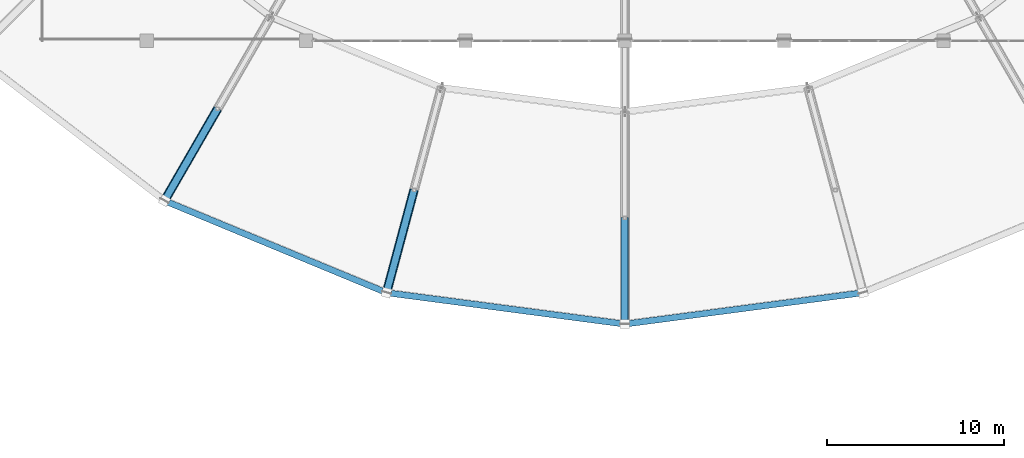
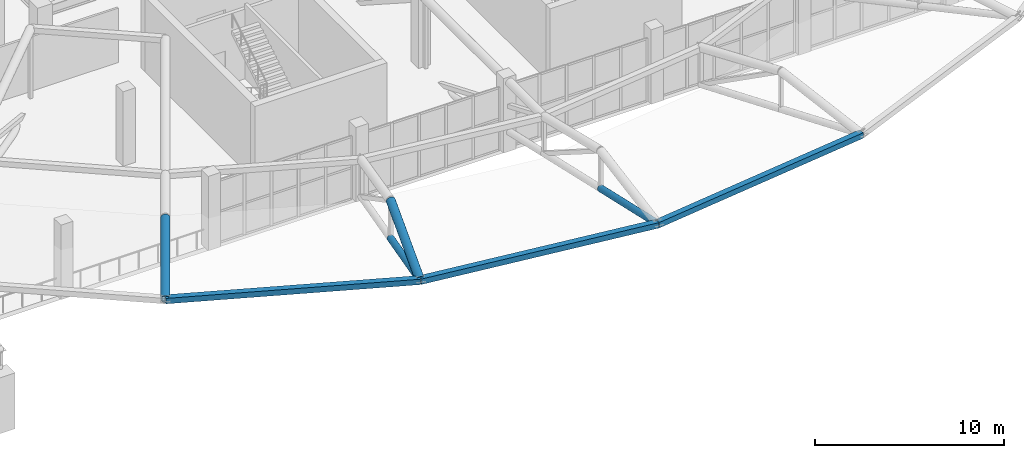
# One storey, part 22 of 167: 8 members.
"""IFC4 building model written with IfcOpenShell, lengths in metres."""

from ifc_helpers import new_model, si_unit, direction, frame, origin, origin_2d, place, context, subcontext, project, spatial, hollow_rectangle, hollow_circle, extrude, material, material_profile, profile_set, type_object, element, save


model = new_model("IFC4")

# Units and contexts
model_context = context("Model", 3, precision=1e-05, world=origin(), true_north=direction((0.0, 1.0)))
body_context = subcontext(model_context, "Body", "Model", "MODEL_VIEW")
ifc_project = project(units=[si_unit("LENGTHUNIT", "METRE"), si_unit("AREAUNIT", "SQUARE_METRE"), si_unit("VOLUMEUNIT", "CUBIC_METRE"), si_unit("PLANEANGLEUNIT", "RADIAN"), si_unit("MASSUNIT", "GRAM", prefix="KILO")], contexts=[model_context])

# Site, building, storey
site_placement = place(None, origin())
site = spatial("IfcSite", under=ifc_project, at=site_placement, CompositionType="ELEMENT")
building_placement = place(site_placement, origin())
building = spatial("IfcBuilding", under=site, at=building_placement, Name="Dornveld Trade and Exhibition Forum", CompositionType="ELEMENT")
storey_placement = place(building_placement, frame((0.0, 0.0, 16.800048828125)))
storey = spatial("IfcBuildingStorey", under=building, at=storey_placement, Name="L03", CompositionType="ELEMENT", Elevation=16.800048828125)

# Members
ifc_material_1 = material(Name="Steel S355J2", Category="steel")
ifc_material_profile_1 = material_profile(ifc_material_1, hollow_circle(Radius=0.203125, WallThickness=0.02001953125, at=origin_2d()), Name="CHS 406.4x20")
ifc_profile_set_1 = profile_set([ifc_material_profile_1], Name="Steel S355J2")
member_type_1 = type_object("IfcMemberType", Name="MEM-DISC-BC", PredefinedType="CHORD", material=ifc_profile_set_1)
for number, where, z_axis, x_axis, name in (
    (1, (94.0, 41.162841796875, 3.437744140625), (-0.487596998988, -0.844525303504, 0.221418559111), (0.866020924479, -0.500007758305, 0.0), "Roof disc radial R17 conical bottom chord 4"),
    (2, (105.09423828125, 36.5673828125, 3.437744140625), (-0.25237327368, -0.941955467078, 0.221421834455), (0.96593170523, -0.2587971036, 0.0), "Roof disc radial R18 conical bottom chord 4"),
):
    element("IfcMember", number, at=place(storey_placement, frame(where, z_axis=z_axis, x_axis=x_axis)), inside=storey, type_object=member_type_1, Name=name, PredefinedType="CHORD", context=body_context, shape_type="SweptSolid", body=[
        extrude(hollow_circle(Radius=0.203125, WallThickness=0.02001953125, at=origin_2d()), origin(), (0.0, 0.0, 1.0), 6.152587890625),
    ])
member_placement = place(storey_placement, frame((117.0, 35.0, 3.437744140625), z_axis=(0.0, -0.975179608328, 0.22141529193), x_axis=(1.0, 0.0, 0.0)))
element("IfcMember", 3, at=member_placement, inside=storey, type_object=member_type_1, Name="Roof disc radial R19 conical bottom chord 4", PredefinedType="CHORD", context=body_context, shape_type="SweptSolid", body=[
    extrude(hollow_circle(Radius=0.203125, WallThickness=0.02001953125, at=origin_2d()), origin(), (0.0, 0.0, 1.0), 6.15283203125),
])
ifc_material_2 = material(Name="Steel S355J2", Category="steel")
ifc_material_profile_2 = material_profile(ifc_material_2, hollow_rectangle(XDim=0.35009765625, YDim=0.35009765625, WallThickness=0.01611328125, at=origin_2d()), Name="SHS 350x350x16")
ifc_profile_set_2 = profile_set([ifc_material_profile_2], Name="Steel S355J2")
member_type_2 = type_object("IfcMemberType", Name="MEM-DISC-RING", PredefinedType="CHORD", material=ifc_profile_set_2)
for number, where, z_axis, x_axis, name in (
    (4, (91.0, 35.966796875, 4.800048828125), (0.923880490743, -0.382681118981, 0.0), (0.382681118981, 0.923880490743, 0.0), "Roof disc ring 4 chord 17"),
    (5, (103.54150390625, 30.77197265625, 4.800048828125), (0.991443640781, -0.130535463208, 0.0), (0.130535463208, 0.991443640781, 0.0), "Roof disc ring 4 chord 18"),
    (6, (117.0, 29.0, 4.800048828125), (0.991443640781, 0.130535463208, 0.0), (-0.130535463208, 0.991443640781, 0.0), "Roof disc ring 4 chord 19"),
):
    element("IfcMember", number, at=place(storey_placement, frame(where, z_axis=z_axis, x_axis=x_axis)), inside=storey, type_object=member_type_2, Name=name, PredefinedType="CHORD", context=body_context, shape_type="SweptSolid", body=[
        extrude(hollow_rectangle(XDim=0.35009765625, YDim=0.35009765625, WallThickness=0.01611328125, at=origin_2d()), origin(), (0.0, 0.0, 1.0), 13.57470703125),
    ])
ifc_material_3 = material(Name="Steel S355J2", Category="steel")
ifc_material_profile_3 = material_profile(ifc_material_3, hollow_circle(Radius=0.25390625, WallThickness=0.02490234375, at=origin_2d()), Name="CHS 508x25")
ifc_profile_set_3 = profile_set([ifc_material_profile_3], Name="Steel S355J2")
member_type_3 = type_object("IfcMemberType", Name="MEM-DISC-TC", PredefinedType="CHORD", material=ifc_profile_set_3)
for number, where, z_axis, x_axis, name in (
    (7, (94.0, 41.162841796875, 5.875), (-0.492171103715, -0.852447721385, -0.176353301567), (0.866020924479, -0.500007758305, 0.0), "Roof disc radial R17 top chord 4"),
    (8, (105.09423828125, 36.5673828125, 5.875), (-0.254740836281, -0.950792133905, -0.176355959457), (0.96593170523, -0.2587971036, 0.0), "Roof disc radial R18 top chord 4"),
):
    element("IfcMember", number, at=place(storey_placement, frame(where, z_axis=z_axis, x_axis=x_axis)), inside=storey, type_object=member_type_3, Name=name, PredefinedType="CHORD", context=body_context, shape_type="SweptSolid", body=[
        extrude(hollow_circle(Radius=0.25390625, WallThickness=0.02490234375, at=origin_2d()), origin(), (0.0, 0.0, 1.0), 6.095458984375),
    ])

save(model, "model.ifc")
